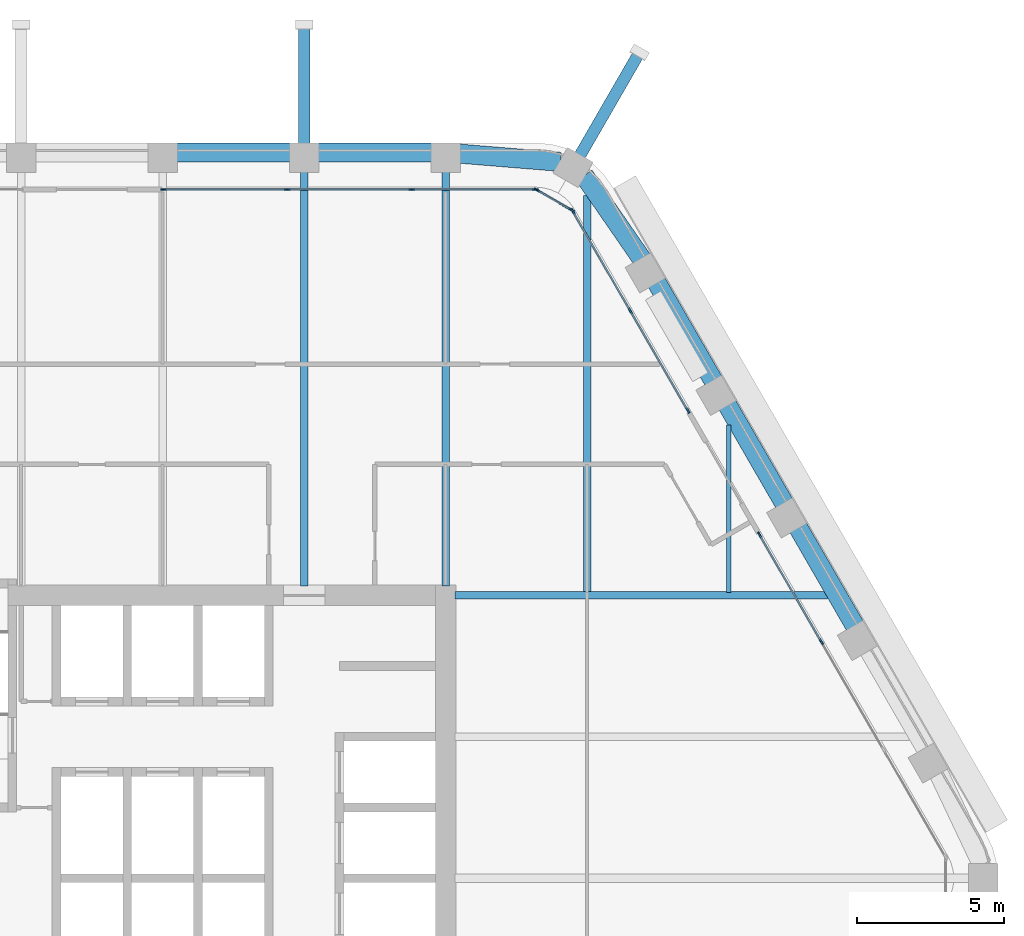
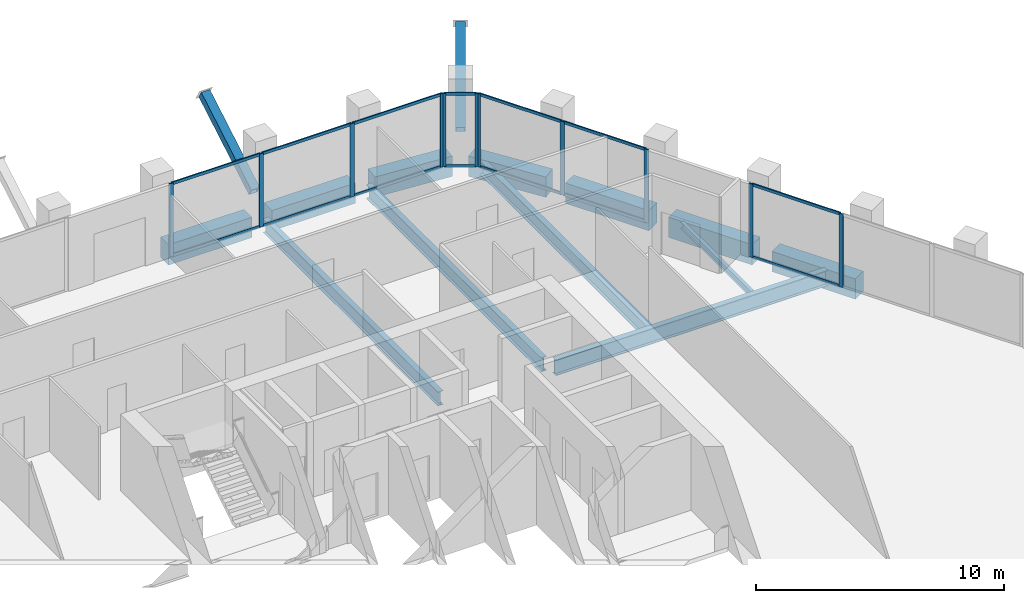
# One storey, part 7 of 16: 27 members, 12 beams, 4 elements without a shape of their own.
"""IFC4 building model written with IfcOpenShell, lengths in metres."""

from ifc_helpers import new_model, si_unit, direction, frame, origin, origin_2d, place, context, subcontext, project, spatial, rectangle, hollow_rectangle, i_section, extrude, material, material_profile, profile_set, type_object, element, aggregate, save


model = new_model("IFC4")

# Units and contexts
model_context = context("Model", 3, precision=1e-05, world=origin(), true_north=direction((0.0, 1.0)))
body_context = subcontext(model_context, "Body", "Model", "MODEL_VIEW")
ifc_project = project(units=[si_unit("LENGTHUNIT", "METRE"), si_unit("AREAUNIT", "SQUARE_METRE"), si_unit("VOLUMEUNIT", "CUBIC_METRE"), si_unit("PLANEANGLEUNIT", "RADIAN"), si_unit("MASSUNIT", "GRAM", prefix="KILO")], contexts=[model_context])

# Site, building, storey
site_placement = place(None, origin())
site = spatial("IfcSite", under=ifc_project, at=site_placement, CompositionType="ELEMENT")
building_placement = place(site_placement, origin())
building = spatial("IfcBuilding", under=site, at=building_placement, Name="Kolab Exchange Tower", CompositionType="ELEMENT")
storey_placement = place(building_placement, frame((0.0, 0.0, 146.60009765625)))
storey = spatial("IfcBuildingStorey", under=building, at=storey_placement, Name="L29", CompositionType="ELEMENT", Elevation=146.60009765625)

# Beams
ifc_material_1 = material(Name="Steel S355", Category="steel")
ifc_material_profile_1 = material_profile(ifc_material_1, i_section(OverallWidth=0.1650390625, OverallDepth=0.31005859375, WebThickness=0.005859375, FlangeThickness=0.009765625, at=origin_2d()), Name="W310X39")
ifc_profile_set_1 = profile_set([ifc_material_profile_1], Name="Steel S355")
beam_type_1 = type_object("IfcBeamType", Name="FLOOR BEAM W310X39", PredefinedType="BEAM", material=ifc_profile_set_1)
beam_1_placement = place(storey_placement, frame((19.199951171875, 9.693603515625, -0.30517578125), z_axis=(0.0, 1.0, 0.0), x_axis=(-1.0, 0.0, 0.0)))
element("IfcBeam", 1, at=beam_1_placement, inside=storey, type_object=beam_type_1, Name="beam/L29/fr/023", PredefinedType="BEAM", context=body_context, shape_type="SweptSolid", body=[
    extrude(i_section(OverallWidth=0.1650390625, OverallDepth=0.31005859375, WebThickness=0.005859375, FlangeThickness=0.009765625, at=origin_2d()), origin(), (0.0, 0.0, 1.0), 5.674072265625),
])
ifc_material_profile_2 = material_profile(ifc_material_1, i_section(OverallWidth=0.25390625, OverallDepth=0.68408203125, WebThickness=0.012451171875, FlangeThickness=0.018798828125, at=origin_2d()), Name="W690X140")
ifc_profile_set_2 = profile_set([ifc_material_profile_2], Name="Steel S355")
beam_type_2 = type_object("IfcBeamType", Name="FLOOR BEAM W690X140", PredefinedType="BEAM", material=ifc_profile_set_2)
for number, where, z_axis, x_axis, name in (
    (2, (4.800048828125, 9.909912109375, -0.4921875), (0.0, 1.0, 0.0), (-1.0, 0.0, 0.0), "beam/L29/fr/014"),
    (3, (9.60009765625, 9.909912109375, -0.4921875), (0.0, 1.0, 0.0), (-1.0, 0.0, 0.0), "beam/L29/fr/016"),
):
    element("IfcBeam", number, at=place(storey_placement, frame(where, z_axis=z_axis, x_axis=x_axis)), inside=storey, type_object=beam_type_2, Name=name, PredefinedType="BEAM", context=body_context, shape_type="SweptSolid", body=[
        extrude(i_section(OverallWidth=0.25390625, OverallDepth=0.68408203125, WebThickness=0.012451171875, FlangeThickness=0.018798828125, at=origin_2d()), origin(), (0.0, 0.0, 1.0), 14.071533203125),
    ])
beam_2_placement = place(storey_placement, frame((14.39990234375, 9.693603515625, -0.4921875), z_axis=(0.0, 1.0, 0.0), x_axis=(-1.0, 0.0, 0.0)))
element("IfcBeam", 4, at=beam_2_placement, inside=storey, type_object=beam_type_2, Name="beam/L29/fr/021", PredefinedType="BEAM", context=body_context, shape_type="SweptSolid", body=[
    extrude(i_section(OverallWidth=0.25390625, OverallDepth=0.68408203125, WebThickness=0.012451171875, FlangeThickness=0.018798828125, at=origin_2d()), origin(), (0.0, 0.0, 1.0), 13.462158203125),
])
ifc_material_profile_3 = material_profile(ifc_material_1, i_section(OverallWidth=0.26708984375, OverallDepth=0.761962890625, WebThickness=0.014404296875, FlangeThickness=0.021484375, at=origin_2d()), Name="W760X173")
ifc_profile_set_3 = profile_set([ifc_material_profile_3], Name="Steel S355")
beam_type_3 = type_object("IfcBeamType", Name="FLOOR GIRDER W760X173", PredefinedType="BEAM", material=ifc_profile_set_3)
beam_3_placement = place(storey_placement, frame((9.909912109375, 9.60009765625, -0.531005859375), z_axis=(1.0, 0.0, 0.0), x_axis=(0.0, 1.0, 0.0)))
element("IfcBeam", 5, at=beam_3_placement, inside=storey, type_object=beam_type_3, Name="beam/L29/gd/003", PredefinedType="BEAM", context=body_context, shape_type="SweptSolid", body=[
    extrude(i_section(OverallWidth=0.26708984375, OverallDepth=0.761962890625, WebThickness=0.014404296875, FlangeThickness=0.021484375, at=origin_2d()), origin(), (0.0, 0.0, 1.0), 12.636962890625),
])

# Members
ifc_material_profile_4 = material_profile(ifc_material_1, hollow_rectangle(XDim=0.39990234375, YDim=0.39990234375, WallThickness=0.02001953125, at=origin_2d()), Name="HSS400X400X20")
ifc_profile_set_4 = profile_set([ifc_material_profile_4], Name="Steel S355")
member_type_1 = type_object("IfcMemberType", Name="LEDGE STRUT HSS400X400X20", PredefinedType="STRUT", material=ifc_profile_set_4)
for number, where, z_axis, x_axis, name in (
    (6, (4.800048828125, 24.901611328125, 0.599853515625), (0.0, 0.862697185747, 0.50572083772), (-1.0, 0.0, 0.0), "mem/L29/ledge/strut-5"),
    (7, (14.14794921875, 24.5048828125, 0.599853515625), (0.431355064226, 0.74712949304, 0.505697863547), (-0.866025579307, 0.499999695987, 0.0), "mem/L29/ledge/strut-6"),
):
    element("IfcMember", number, at=place(storey_placement, frame(where, z_axis=z_axis, x_axis=x_axis)), inside=storey, type_object=member_type_1, Name=name, PredefinedType="STRUT", context=body_context, shape_type="SweptSolid", body=[
        extrude(hollow_rectangle(XDim=0.39990234375, YDim=0.39990234375, WallThickness=0.02001953125, at=origin_2d()), origin(), (0.0, 0.0, 1.0), 4.682861328125),
    ])

# Beams
ifc_material_2 = material(Name="Concrete C60/75", Category="concrete")
ifc_material_profile_5 = material_profile(ifc_material_2, rectangle(XDim=0.64990234375, YDim=1.0, at=origin_2d()), Name="RC650X1000")
ifc_profile_set_5 = profile_set([ifc_material_profile_5], Name="Concrete C60/75")
beam_type_4 = type_object("IfcBeamType", Name="SPANDREL BEAM 650X1000 C60/75", PredefinedType="BEAM", material=ifc_profile_set_5)
beam_4_placement = place(storey_placement, frame((0.4599609375, 24.616455078125, -0.650146484375), z_axis=(1.0, 0.0, 0.0), x_axis=(0.0, 1.0, 0.0)))
element("IfcBeam", 8, at=beam_4_placement, inside=storey, type_object=beam_type_4, Name="beam/L29/sp/F1-04", PredefinedType="BEAM", context=body_context, shape_type="SweptSolid", body=[
    extrude(rectangle(XDim=0.64990234375, YDim=1.0, at=origin_2d()), origin(), (0.0, 0.0, 1.0), 3.880126953125),
])
beam_5_placement = place(storey_placement, frame((5.260009765625, 24.616455078125, -0.650146484375), z_axis=(1.0, 0.0, 0.0), x_axis=(0.0, 1.0, 0.0)))
element("IfcBeam", 9, at=beam_5_placement, inside=storey, type_object=beam_type_4, Name="beam/L29/sp/F1-05", PredefinedType="BEAM", context=body_context, shape_type="SweptSolid", body=[
    extrude(rectangle(XDim=0.64990234375, YDim=1.0, at=origin_2d()), origin(), (0.0, 0.0, 1.0), 3.8798828125),
])
for number, where, z_axis, x_axis, name in (
    (10, (10.06005859375, 24.5791015625, -0.650146484375), (0.996708497182, -0.081068931445, 0.0), (0.081068931445, 0.996708497182, 0.0), "beam/L29/sp/F1-06"),
    (11, (14.29736328125, 23.8359375, -0.650146484375), (0.568572281073, -0.822633309073, 0.0), (0.822633309073, 0.568572281073, 0.0), "beam/L29/sp/F2-01"),
):
    element("IfcBeam", number, at=place(storey_placement, frame(where, z_axis=z_axis, x_axis=x_axis)), inside=storey, type_object=beam_type_4, Name=name, PredefinedType="BEAM", context=body_context, shape_type="SweptSolid", body=[
        extrude(rectangle(XDim=0.64990234375, YDim=1.0, at=origin_2d()), origin(), (0.0, 0.0, 1.0), 3.445068359375),
    ])
beam_6_placement = place(storey_placement, frame((16.74853515625, 20.2236328125, -0.650146484375), z_axis=(0.499996613652, -0.866027358884, 0.0), x_axis=(0.866027358884, 0.499996613652, 0.0)))
element("IfcBeam", 12, at=beam_6_placement, inside=storey, type_object=beam_type_4, Name="beam/L29/sp/F2-02", PredefinedType="BEAM", context=body_context, shape_type="SweptSolid", body=[
    extrude(rectangle(XDim=0.64990234375, YDim=1.0, at=origin_2d()), origin(), (0.0, 0.0, 1.0), 3.8798828125),
])
beam_7_placement = place(storey_placement, frame((19.1484375, 16.06689453125, -0.650146484375), z_axis=(0.50001655835, -0.866015843605, 0.0), x_axis=(0.866015843605, 0.50001655835, 0.0)))
element("IfcBeam", 13, at=beam_7_placement, inside=storey, type_object=beam_type_4, Name="beam/L29/sp/F2-03", PredefinedType="BEAM", context=body_context, shape_type="SweptSolid", body=[
    extrude(rectangle(XDim=0.64990234375, YDim=1.0, at=origin_2d()), origin(), (0.0, 0.0, 1.0), 3.880126953125),
])
beam_8_placement = place(storey_placement, frame((21.548583984375, 11.909912109375, -0.650146484375), z_axis=(0.499996613652, -0.866027358884, 0.0), x_axis=(0.866027358884, 0.499996613652, 0.0)))
element("IfcBeam", 14, at=beam_8_placement, inside=storey, type_object=beam_type_4, Name="beam/L29/sp/F2-04", PredefinedType="BEAM", context=body_context, shape_type="SweptSolid", body=[
    extrude(rectangle(XDim=0.64990234375, YDim=1.0, at=origin_2d()), origin(), (0.0, 0.0, 1.0), 3.8798828125),
])

# Curtain wall, members
ifc_material_3 = material(Name="Aluminium EN AW-6063 T6", Category="aluminium")
curtain_wall_type = type_object("IfcCurtainWallType", Name="UNITISED UPPER MID ZONE CURTAIN WALL", PredefinedType="NOTDEFINED", material=ifc_material_3)
curtain_wall_1_placement = place(storey_placement, origin())
curtain_wall_1 = element("IfcCurtainWall", 15, at=curtain_wall_1_placement, inside=storey, type_object=curtain_wall_type, Name="cw/L29/F1-2", PredefinedType="NOTDEFINED")
ifc_material_profile_6 = material_profile(ifc_material_3, rectangle(XDim=0.06005859375, YDim=0.199951171875, at=origin_2d()), Name="RECT 60X200")
ifc_profile_set_6 = profile_set([ifc_material_profile_6], Name="Aluminium EN AW-6063 T6")
member_type_2 = type_object("IfcMemberType", Name="UNITISED UPPER MID ZONE MULLION 60 X 200", PredefinedType="MULLION", material=ifc_profile_set_6)
member_1_placement = place(storey_placement, frame((0.030029296875, 23.361572265625, 0.0), z_axis=(0.0, 0.0, 1.0), x_axis=(0.0, 1.0, 0.0)))
member_1 = element("IfcMember", 16, at=member_1_placement, type_object=member_type_2, Name="CW3 mullion 1", PredefinedType="MULLION", context=body_context, shape_type="SweptSolid", body=[
    extrude(rectangle(XDim=0.06005859375, YDim=0.199951171875, at=origin_2d()), origin(), (0.0, 0.0, 1.0), 3.599853515625),
])
member_2_placement = place(storey_placement, frame((4.22265625, 23.361572265625, 0.0), z_axis=(0.0, 0.0, 1.0), x_axis=(0.0, 1.0, 0.0)))
member_2 = element("IfcMember", 17, at=member_2_placement, type_object=member_type_2, Name="CW3 mullion 2", PredefinedType="MULLION", context=body_context, shape_type="SweptSolid", body=[
    extrude(rectangle(XDim=0.06005859375, YDim=0.199951171875, at=origin_2d()), origin(), (0.0, 0.0, 1.0), 3.599853515625),
])
member_3_placement = place(storey_placement, frame((8.4453125, 23.361572265625, 0.0), z_axis=(0.0, 0.0, 1.0), x_axis=(0.0, 1.0, 0.0)))
member_3 = element("IfcMember", 18, at=member_3_placement, type_object=member_type_2, Name="CW3 mullion 3", PredefinedType="MULLION", context=body_context, shape_type="SweptSolid", body=[
    extrude(rectangle(XDim=0.06005859375, YDim=0.199951171875, at=origin_2d()), origin(), (0.0, 0.0, 1.0), 3.599853515625),
])
member_4_placement = place(storey_placement, frame((12.637939453125, 23.361572265625, 0.0), z_axis=(0.0, 0.0, 1.0), x_axis=(0.0, 1.0, 0.0)))
member_4 = element("IfcMember", 19, at=member_4_placement, type_object=member_type_2, Name="CW3 mullion 4", PredefinedType="MULLION", context=body_context, shape_type="SweptSolid", body=[
    extrude(rectangle(XDim=0.06005859375, YDim=0.199951171875, at=origin_2d()), origin(), (0.0, 0.0, 1.0), 3.599853515625),
])

curtain_wall_2_placement = place(storey_placement, origin())
curtain_wall_2 = element("IfcCurtainWall", 20, at=curtain_wall_2_placement, inside=storey, type_object=curtain_wall_type, Name="cw/L29/F2-1", PredefinedType="NOTDEFINED")
member_5_placement = place(storey_placement, frame((13.91259765625, 22.62548828125, 0.0), z_axis=(0.0, 0.0, 1.0), x_axis=(0.866025385493, 0.500000031681, 0.0)))
member_5 = element("IfcMember", 21, at=member_5_placement, type_object=member_type_2, Name="CW3 mullion 1", PredefinedType="MULLION", context=body_context, shape_type="SweptSolid", body=[
    extrude(rectangle(XDim=0.06005859375, YDim=0.199951171875, at=origin_2d()), origin(), (0.0, 0.0, 1.0), 3.599853515625),
])
member_6_placement = place(storey_placement, frame((15.86474609375, 19.24462890625, 0.0), z_axis=(0.0, 0.0, 1.0), x_axis=(0.866025385493, 0.500000031681, 0.0)))
member_6 = element("IfcMember", 22, at=member_6_placement, type_object=member_type_2, Name="CW3 mullion 2", PredefinedType="MULLION", context=body_context, shape_type="SweptSolid", body=[
    extrude(rectangle(XDim=0.06005859375, YDim=0.199951171875, at=origin_2d()), origin(), (0.0, 0.0, 1.0), 3.599853515625),
])
member_7_placement = place(storey_placement, frame((17.816650390625, 15.86376953125, 0.0), z_axis=(0.0, 0.0, 1.0), x_axis=(0.866025385493, 0.500000031681, 0.0)))
member_7 = element("IfcMember", 23, at=member_7_placement, type_object=member_type_2, Name="CW3 mullion 3", PredefinedType="MULLION", context=body_context, shape_type="SweptSolid", body=[
    extrude(rectangle(XDim=0.06005859375, YDim=0.199951171875, at=origin_2d()), origin(), (0.0, 0.0, 1.0), 3.599853515625),
])

curtain_wall_3_placement = place(storey_placement, origin())
curtain_wall_3 = element("IfcCurtainWall", 24, at=curtain_wall_3_placement, inside=storey, type_object=curtain_wall_type, Name="cw/L29/F2-2", PredefinedType="NOTDEFINED")
member_8_placement = place(storey_placement, frame((20.24658203125, 11.65478515625, 0.0), z_axis=(0.0, 0.0, 1.0), x_axis=(0.866025427826, 0.499999958358, 0.0)))
member_8 = element("IfcMember", 25, at=member_8_placement, type_object=member_type_2, Name="CW3 mullion 1", PredefinedType="MULLION", context=body_context, shape_type="SweptSolid", body=[
    extrude(rectangle(XDim=0.06005859375, YDim=0.199951171875, at=origin_2d()), origin(), (0.0, 0.0, 1.0), 3.599853515625),
])
member_9_placement = place(storey_placement, frame((22.343017578125, 8.02392578125, 0.0), z_axis=(0.0, 0.0, 1.0), x_axis=(0.866025427826, 0.499999958358, 0.0)))
member_9 = element("IfcMember", 26, at=member_9_placement, type_object=member_type_2, Name="CW3 mullion 2", PredefinedType="MULLION", context=body_context, shape_type="SweptSolid", body=[
    extrude(rectangle(XDim=0.06005859375, YDim=0.199951171875, at=origin_2d()), origin(), (0.0, 0.0, 1.0), 3.599853515625),
])

curtain_wall_4_placement = place(storey_placement, origin())
curtain_wall_4 = element("IfcCurtainWall", 27, at=curtain_wall_4_placement, inside=storey, type_object=curtain_wall_type, Name="cw/L29/F1F2-corner", PredefinedType="NOTDEFINED")
member_10_placement = place(storey_placement, frame((12.69384765625, 23.346435546875, 0.0), z_axis=(0.0, 0.0, 1.0), x_axis=(0.50000002237, 0.866025390869, 0.0)))
member_10 = element("IfcMember", 28, at=member_10_placement, type_object=member_type_2, Name="CW3 mullion 1", PredefinedType="MULLION", context=body_context, shape_type="SweptSolid", body=[
    extrude(rectangle(XDim=0.06005859375, YDim=0.199951171875, at=origin_2d()), origin(), (0.0, 0.0, 1.0), 3.599853515625),
])
member_11_placement = place(storey_placement, frame((13.871826171875, 22.66650390625, 0.0), z_axis=(0.0, 0.0, 1.0), x_axis=(0.50000002237, 0.866025390869, 0.0)))
member_11 = element("IfcMember", 29, at=member_11_placement, type_object=member_type_2, Name="CW3 mullion 2", PredefinedType="MULLION", context=body_context, shape_type="SweptSolid", body=[
    extrude(rectangle(XDim=0.06005859375, YDim=0.199951171875, at=origin_2d()), origin(), (0.0, 0.0, 1.0), 3.599853515625),
])

# Member
ifc_material_profile_7 = material_profile(ifc_material_3, rectangle(XDim=0.06005859375, YDim=0.139892578125, at=origin_2d()), Name="RECT 60X140")
ifc_profile_set_7 = profile_set([ifc_material_profile_7], Name="Aluminium EN AW-6063 T6")
member_type_3 = type_object("IfcMemberType", Name="UNITISED UPPER MID ZONE TRANSOM 60 X 140", PredefinedType="USERDEFINED", material=ifc_profile_set_7)
member_12_placement = place(storey_placement, frame((0.06005859375, 23.361572265625, 0.02978515625), z_axis=(1.0, 0.0, 0.0), x_axis=(0.0, 1.0, 0.0)))
member_12 = element("IfcMember", 30, at=member_12_placement, type_object=member_type_3, Name="CW3 transom 1.1", ObjectType="TRANSOM", PredefinedType="USERDEFINED", context=body_context, shape_type="SweptSolid", body=[
    extrude(rectangle(XDim=0.06005859375, YDim=0.139892578125, at=origin_2d()), origin(), (0.0, 0.0, 1.0), 4.132568359375),
])

member_13_placement = place(storey_placement, frame((0.06005859375, 23.361572265625, 3.56982421875), z_axis=(1.0, 0.0, 0.0), x_axis=(0.0, 1.0, 0.0)))
member_13 = element("IfcMember", 31, at=member_13_placement, type_object=member_type_3, Name="CW3 transom 1.2", ObjectType="TRANSOM", PredefinedType="USERDEFINED", context=body_context, shape_type="SweptSolid", body=[
    extrude(rectangle(XDim=0.06005859375, YDim=0.139892578125, at=origin_2d()), origin(), (0.0, 0.0, 1.0), 4.132568359375),
])

member_14_placement = place(storey_placement, frame((4.252685546875, 23.361572265625, 0.02978515625), z_axis=(1.0, 0.0, 0.0), x_axis=(0.0, 1.0, 0.0)))
member_14 = element("IfcMember", 32, at=member_14_placement, type_object=member_type_3, Name="CW3 transom 2.1", ObjectType="TRANSOM", PredefinedType="USERDEFINED", context=body_context, shape_type="SweptSolid", body=[
    extrude(rectangle(XDim=0.06005859375, YDim=0.139892578125, at=origin_2d()), origin(), (0.0, 0.0, 1.0), 4.16259765625),
])

member_15_placement = place(storey_placement, frame((4.252685546875, 23.361572265625, 3.56982421875), z_axis=(1.0, 0.0, 0.0), x_axis=(0.0, 1.0, 0.0)))
member_15 = element("IfcMember", 33, at=member_15_placement, type_object=member_type_3, Name="CW3 transom 2.2", ObjectType="TRANSOM", PredefinedType="USERDEFINED", context=body_context, shape_type="SweptSolid", body=[
    extrude(rectangle(XDim=0.06005859375, YDim=0.139892578125, at=origin_2d()), origin(), (0.0, 0.0, 1.0), 4.16259765625),
])

member_16_placement = place(storey_placement, frame((8.475341796875, 23.361572265625, 0.02978515625), z_axis=(1.0, 0.0, 0.0), x_axis=(0.0, 1.0, 0.0)))
member_16 = element("IfcMember", 34, at=member_16_placement, type_object=member_type_3, Name="CW3 transom 3.1", ObjectType="TRANSOM", PredefinedType="USERDEFINED", context=body_context, shape_type="SweptSolid", body=[
    extrude(rectangle(XDim=0.06005859375, YDim=0.139892578125, at=origin_2d()), origin(), (0.0, 0.0, 1.0), 4.132568359375),
])

member_17_placement = place(storey_placement, frame((8.475341796875, 23.361572265625, 3.56982421875), z_axis=(1.0, 0.0, 0.0), x_axis=(0.0, 1.0, 0.0)))
member_17 = element("IfcMember", 35, at=member_17_placement, type_object=member_type_3, Name="CW3 transom 3.2", ObjectType="TRANSOM", PredefinedType="USERDEFINED", context=body_context, shape_type="SweptSolid", body=[
    extrude(rectangle(XDim=0.06005859375, YDim=0.139892578125, at=origin_2d()), origin(), (0.0, 0.0, 1.0), 4.132568359375),
])

aggregate(curtain_wall_1, [member_1, member_2, member_3, member_4, member_12, member_13, member_14, member_15, member_16, member_17])

member_18_placement = place(storey_placement, frame((13.927734375, 22.599609375, 0.02978515625), z_axis=(0.499964356602, -0.866045981532, 0.0), x_axis=(0.866045981532, 0.499964356602, 0.0)))
member_18 = element("IfcMember", 36, at=member_18_placement, type_object=member_type_3, Name="CW3 transom 1.1", ObjectType="TRANSOM", PredefinedType="USERDEFINED", context=body_context, shape_type="SweptSolid", body=[
    extrude(rectangle(XDim=0.06005859375, YDim=0.139892578125, at=origin_2d()), origin(), (0.0, 0.0, 1.0), 3.843994140625),
])

member_19_placement = place(storey_placement, frame((13.927734375, 22.599609375, 3.56982421875), z_axis=(0.499964356602, -0.866045981532, 0.0), x_axis=(0.866045981532, 0.499964356602, 0.0)))
member_19 = element("IfcMember", 37, at=member_19_placement, type_object=member_type_3, Name="CW3 transom 1.2", ObjectType="TRANSOM", PredefinedType="USERDEFINED", context=body_context, shape_type="SweptSolid", body=[
    extrude(rectangle(XDim=0.06005859375, YDim=0.139892578125, at=origin_2d()), origin(), (0.0, 0.0, 1.0), 3.843994140625),
])

member_20_placement = place(storey_placement, frame((15.879638671875, 19.21875, 0.02978515625), z_axis=(0.500011990396, -0.866018481016, 0.0), x_axis=(0.866018481016, 0.500011990396, 0.0)))
member_20 = element("IfcMember", 38, at=member_20_placement, type_object=member_type_3, Name="CW3 transom 2.1", ObjectType="TRANSOM", PredefinedType="USERDEFINED", context=body_context, shape_type="SweptSolid", body=[
    extrude(rectangle(XDim=0.06005859375, YDim=0.139892578125, at=origin_2d()), origin(), (0.0, 0.0, 1.0), 3.84423828125),
])

member_21_placement = place(storey_placement, frame((15.879638671875, 19.21875, 3.56982421875), z_axis=(0.500011990396, -0.866018481016, 0.0), x_axis=(0.866018481016, 0.500011990396, 0.0)))
member_21 = element("IfcMember", 39, at=member_21_placement, type_object=member_type_3, Name="CW3 transom 2.2", ObjectType="TRANSOM", PredefinedType="USERDEFINED", context=body_context, shape_type="SweptSolid", body=[
    extrude(rectangle(XDim=0.06005859375, YDim=0.139892578125, at=origin_2d()), origin(), (0.0, 0.0, 1.0), 3.84423828125),
])

aggregate(curtain_wall_2, [member_5, member_6, member_7, member_18, member_19, member_20, member_21])

member_22_placement = place(storey_placement, frame((20.26171875, 11.62890625, 0.02978515625), z_axis=(0.500001996123, -0.866024251319, 0.0), x_axis=(0.866024251319, 0.500001996123, 0.0)))
member_22 = element("IfcMember", 40, at=member_22_placement, type_object=member_type_3, Name="CW3 transom 1.1", ObjectType="TRANSOM", PredefinedType="USERDEFINED", context=body_context, shape_type="SweptSolid", body=[
    extrude(rectangle(XDim=0.06005859375, YDim=0.139892578125, at=origin_2d()), origin(), (0.0, 0.0, 1.0), 4.1328125),
])

member_23_placement = place(storey_placement, frame((20.26171875, 11.62890625, 3.56982421875), z_axis=(0.500001996123, -0.866024251319, 0.0), x_axis=(0.866024251319, 0.500001996123, 0.0)))
member_23 = element("IfcMember", 41, at=member_23_placement, type_object=member_type_3, Name="CW3 transom 1.2", ObjectType="TRANSOM", PredefinedType="USERDEFINED", context=body_context, shape_type="SweptSolid", body=[
    extrude(rectangle(XDim=0.06005859375, YDim=0.139892578125, at=origin_2d()), origin(), (0.0, 0.0, 1.0), 4.1328125),
])

aggregate(curtain_wall_3, [member_8, member_9, member_22, member_23])

member_24_placement = place(storey_placement, frame((12.719970703125, 23.33154296875, 0.02978515625), z_axis=(0.86603858612, -0.49997716683, 0.0), x_axis=(0.49997716683, 0.86603858612, 0.0)))
member_24 = element("IfcMember", 42, at=member_24_placement, type_object=member_type_3, Name="CW3 transom 1.1", ObjectType="TRANSOM", PredefinedType="USERDEFINED", context=body_context, shape_type="SweptSolid", body=[
    extrude(rectangle(XDim=0.06005859375, YDim=0.139892578125, at=origin_2d()), origin(), (0.0, 0.0, 1.0), 1.2998046875),
])

member_25_placement = place(storey_placement, frame((12.719970703125, 23.33154296875, 3.56982421875), z_axis=(0.86603858612, -0.49997716683, 0.0), x_axis=(0.49997716683, 0.86603858612, 0.0)))
member_25 = element("IfcMember", 43, at=member_25_placement, type_object=member_type_3, Name="CW3 transom 1.2", ObjectType="TRANSOM", PredefinedType="USERDEFINED", context=body_context, shape_type="SweptSolid", body=[
    extrude(rectangle(XDim=0.06005859375, YDim=0.139892578125, at=origin_2d()), origin(), (0.0, 0.0, 1.0), 1.2998046875),
])

aggregate(curtain_wall_4, [member_10, member_11, member_24, member_25])

save(model, "model.ifc")
